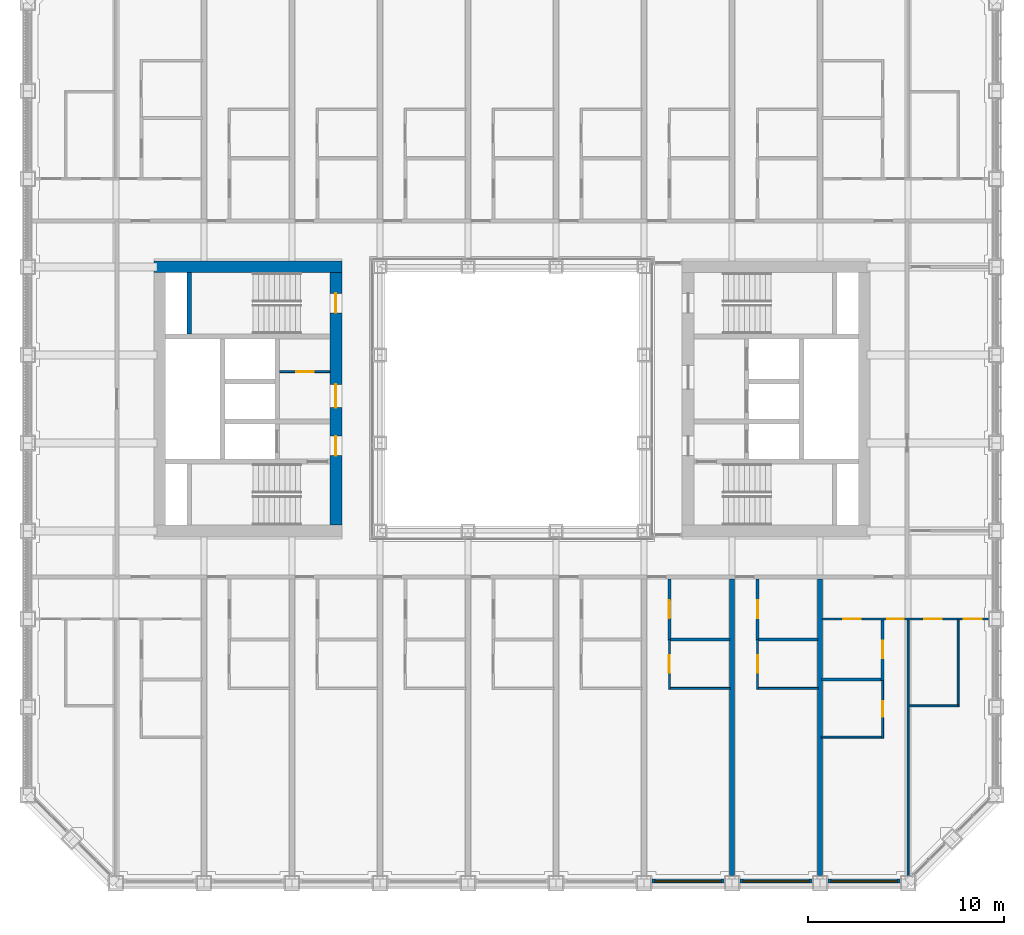
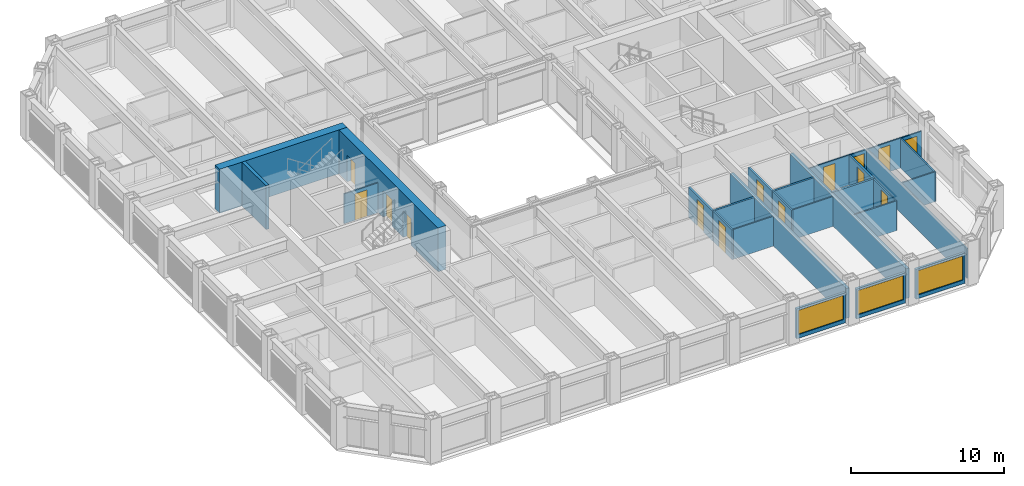
# One storey, part 11 of 21: 25 walls, 14 doors, 3 windows, 17 openings.
"""IFC4 building model written with IfcOpenShell, lengths in metres."""

from ifc_helpers import new_model, si_unit, direction, frame, frame_2d, origin, place, context, subcontext, project, spatial, rectangle, extrude, material, layer, layer_set, type_object, element, fill, save


model = new_model("IFC4")

# Units and contexts
model_context = context("Model", 3, precision=1e-05, world=origin(), true_north=direction((0.0, 1.0)))
body_context = subcontext(model_context, "Body", "Model", "MODEL_VIEW")
ifc_project = project(units=[si_unit("LENGTHUNIT", "METRE"), si_unit("AREAUNIT", "SQUARE_METRE"), si_unit("VOLUMEUNIT", "CUBIC_METRE"), si_unit("PLANEANGLEUNIT", "RADIAN"), si_unit("MASSUNIT", "GRAM", prefix="KILO")], contexts=[model_context])

# Site, building, storey
site_placement = place(None, origin())
site = spatial("IfcSite", under=ifc_project, at=site_placement, CompositionType="ELEMENT")
building_placement = place(site_placement, origin())
building = spatial("IfcBuilding", under=site, at=building_placement, Name="Msasa Ring Tower", CompositionType="ELEMENT")
storey_placement = place(building_placement, frame((0.0, 0.0, 33.5)))
storey = spatial("IfcBuildingStorey", under=building, at=storey_placement, Name="L07", CompositionType="ELEMENT", Elevation=33.5)

# Wall
ifc_material_1 = material(Name="Concrete C60/75", Category="concrete")
ifc_layer_1 = layer(ifc_material_1, 0.60009765625)
ifc_layer_set_1 = layer_set([ifc_layer_1], Name="CW1 CORE WALL 600")
wall_type_1 = type_object("IfcWallType", Name="CW1 CORE WALL 600", PredefinedType="SHEAR", material=ifc_layer_set_1)
wall_1_placement = place(storey_placement, frame((-8.699951171875, 6.75, 0.0), z_axis=(0.0, 0.0, 1.0), x_axis=(-1.0, 0.0, 0.0)))
element("IfcWall", 1, at=wall_1_placement, inside=storey, type_object=wall_type_1, Name="W core wall N L07", PredefinedType="SHEAR", context=body_context, shape_type="SweptSolid", body=[
    extrude(rectangle(XDim=9.60009765625, YDim=0.60009765625, at=frame_2d((4.800048828125, 0.0))), origin(), (0.0, 0.0, 1.0), 3.5),
])

# Wall, openings, doors
wall_2_placement = place(storey_placement, frame((-9.0, -6.449951171875, 0.0), z_axis=(0.0, 0.0, 1.0), x_axis=(0.0, 1.0, 0.0)))
wall_2 = element("IfcWall", 2, at=wall_2_placement, inside=storey, type_object=wall_type_1, Name="W core wall W L07", PredefinedType="SHEAR", context=body_context, shape_type="SweptSolid", body=[
    extrude(rectangle(XDim=12.89990234375, YDim=0.60009765625, at=frame_2d((6.449951171875, 0.0))), origin(), (0.0, 0.0, 1.0), 3.5),
])
opening_1_placement = place(wall_2_placement, frame((3.550048828125, 0.0, 0.0)))
opening_1 = element("IfcOpeningElement", 3, at=opening_1_placement, cuts=wall_2, Name="Opening RA-045", PredefinedType="OPENING", context=body_context, shape_type="SweptSolid", body=[
    extrude(rectangle(XDim=1.0, YDim=2.10009765625, at=frame_2d((0.5, 1.050048828125))), frame((0.0, 0.31005859375, 0.0), z_axis=(0.0, -1.0, 0.0), x_axis=(1.0, 0.0, 0.0)), (0.0, 0.0, 1.0), 0.6201171875),
])
opening_2_placement = place(wall_2_placement, frame((6.0, 0.0, 0.0)))
opening_2 = element("IfcOpeningElement", 4, at=opening_2_placement, cuts=wall_2, Name="Opening RA-042", PredefinedType="OPENING", context=body_context, shape_type="SweptSolid", body=[
    extrude(rectangle(XDim=1.199951171875, YDim=2.10009765625, at=frame_2d((0.60009765625, 1.050048828125))), frame((0.0, 0.31005859375, 0.0), z_axis=(0.0, -1.0, 0.0), x_axis=(1.0, 0.0, 0.0)), (0.0, 0.0, 1.0), 0.6201171875),
])
opening_3_placement = place(wall_2_placement, frame((10.85009765625, 0.0, 0.0)))
opening_3 = element("IfcOpeningElement", 5, at=opening_3_placement, cuts=wall_2, Name="Opening RA-038", PredefinedType="OPENING", context=body_context, shape_type="SweptSolid", body=[
    extrude(rectangle(XDim=1.0, YDim=2.10009765625, at=frame_2d((0.5, 1.050048828125))), frame((0.0, 0.31005859375, 0.0), z_axis=(0.0, -1.0, 0.0), x_axis=(1.0, 0.0, 0.0)), (0.0, 0.0, 1.0), 0.6201171875),
])
ifc_material_2 = material(Name="Timber door leaf in a steel frame", Category="steel")
door_type_1 = type_object("IfcDoorType", Name="D26 WIDE SERVICE ROOM DOOR 1200x2100", OperationType="SINGLE_SWING_LEFT", PredefinedType="DOOR", material=ifc_material_2)
door_1_placement = place(opening_2_placement, origin())
door_1 = element("IfcDoor", 6, at=door_1_placement, inside=storey, type_object=door_type_1, Name="Door L07-WCR", OperationType="SINGLE_SWING_RIGHT", OverallHeight=2.10009765625, OverallWidth=1.199951171875, PredefinedType="DOOR", context=body_context, shape_type="SweptSolid", body=[
    extrude(rectangle(XDim=1.199951171875, YDim=2.10009765625, at=frame_2d((0.60009765625, 1.050048828125))), frame((0.0, 0.02490234375, 0.0), z_axis=(0.0, -1.0, 0.0), x_axis=(1.0, 0.0, 0.0)), (0.0, 0.0, 1.0), 0.050048828125),
])
fill(opening_2, door_1)
ifc_material_3 = material(Name="Timber door leaf in a steel frame", Category="steel")
door_type_2 = type_object("IfcDoorType", Name="D4 LOBBY DOOR 1000x2100", OperationType="SINGLE_SWING_LEFT", PredefinedType="DOOR", material=ifc_material_3)
door_2_placement = place(opening_1_placement, origin())
door_2 = element("IfcDoor", 7, at=door_2_placement, inside=storey, type_object=door_type_2, Name="Door L07-WFFL", OperationType="SINGLE_SWING_LEFT", OverallHeight=2.10009765625, OverallWidth=1.0, PredefinedType="DOOR", context=body_context, shape_type="SweptSolid", body=[
    extrude(rectangle(XDim=1.0, YDim=2.10009765625, at=frame_2d((0.5, 1.050048828125))), frame((0.0, 0.02490234375, 0.0), z_axis=(0.0, -1.0, 0.0), x_axis=(1.0, 0.0, 0.0)), (0.0, 0.0, 1.0), 0.050048828125),
])
fill(opening_1, door_2)
ifc_material_4 = material(Name="Timber door leaf in a steel frame", Category="steel")
door_type_3 = type_object("IfcDoorType", Name="D6 STAIR DOOR 1000x2100", OperationType="SINGLE_SWING_LEFT", PredefinedType="DOOR", material=ifc_material_4)
door_3_placement = place(opening_3_placement, origin())
door_3 = element("IfcDoor", 8, at=door_3_placement, inside=storey, type_object=door_type_3, Name="Door L07-WSTB", OperationType="SINGLE_SWING_RIGHT", OverallHeight=2.10009765625, OverallWidth=1.0, PredefinedType="DOOR", context=body_context, shape_type="SweptSolid", body=[
    extrude(rectangle(XDim=1.0, YDim=2.10009765625, at=frame_2d((0.5, 1.050048828125))), frame((0.0, 0.02490234375, 0.0), z_axis=(0.0, -1.0, 0.0), x_axis=(1.0, 0.0, 0.0)), (0.0, 0.0, 1.0), 0.050048828125),
])
fill(opening_3, door_3)

# Wall
ifc_material_5 = material(Name="Concrete C60/75", Category="concrete")
ifc_layer_2 = layer(ifc_material_5, 0.25)
ifc_layer_set_2 = layer_set([ifc_layer_2], Name="CW4 CORE INNER WALL 250")
wall_type_2 = type_object("IfcWallType", Name="CW4 CORE INNER WALL 250", PredefinedType="SHEAR", material=ifc_layer_set_2)
wall_3_placement = place(storey_placement, frame((-16.5, 3.324951171875, 0.0), z_axis=(0.0, 0.0, 1.0), x_axis=(0.0, 1.0, 0.0)))
element("IfcWall", 9, at=wall_3_placement, inside=storey, type_object=wall_type_2, Name="W core wall RISERB L07", PredefinedType="SHEAR", context=body_context, shape_type="SweptSolid", body=[
    extrude(rectangle(XDim=3.125, YDim=0.25, at=frame_2d((1.5625, 0.0))), origin(), (0.0, 0.0, 1.0), 3.5),
])

# Wall, opening, window
ifc_material_6 = material(Name="Terracotta rainscreen on blockwork", Category="masonry")
ifc_layer_3 = layer(ifc_material_6, 0.199951171875)
ifc_layer_set_3 = layer_set([ifc_layer_3], Name="FW1 TERRACOTTA-LINED INFILL BAY WALL 200")
wall_type_3 = type_object("IfcWallType", Name="FW1 TERRACOTTA-LINED INFILL BAY WALL 200", PredefinedType="SOLIDWALL", material=ifc_layer_set_3)
wall_4_placement = place(storey_placement, frame((7.155029296875, -24.64990234375, 0.0), z_axis=(0.0, 0.0, 1.0), x_axis=(1.0, 0.0, 0.0)))
wall_4 = element("IfcWall", 10, at=wall_4_placement, inside=storey, type_object=wall_type_3, Name="Infill bay wall S L07 06", PredefinedType="SOLIDWALL", context=body_context, shape_type="SweptSolid", body=[
    extrude(rectangle(XDim=3.68994140625, YDim=0.199951171875, at=frame_2d((1.844970703125, 0.0))), origin(), (0.0, 0.0, 1.0), 2.37890625),
])
opening_4_placement = place(wall_4_placement, frame((0.14501953125, 0.0, 0.300048828125)))
opening_4 = element("IfcOpeningElement", 11, at=opening_4_placement, cuts=wall_4, Name="Opening WN1", PredefinedType="OPENING", context=body_context, shape_type="SweptSolid", body=[
    extrude(rectangle(XDim=3.39990234375, YDim=1.928955078125, at=frame_2d((1.699951171875, 0.96435546875))), frame((0.0, 0.10986328125, 0.0), z_axis=(0.0, -1.0, 0.0), x_axis=(1.0, 0.0, 0.0)), (0.0, 0.0, 1.0), 0.219970703125),
])
ifc_material_7 = material(Name="Aluminium frame with clear glass", Category="aluminium")
window_type = type_object("IfcWindowType", Name="WN1 RESIDENCE WINDOW 3400x1929", PartitioningType="SINGLE_PANEL", PredefinedType="WINDOW", material=ifc_material_7)
window_1_placement = place(opening_4_placement, origin())
window_1 = element("IfcWindow", 12, at=window_1_placement, inside=storey, type_object=window_type, Name="Window S L07 06", OverallHeight=1.928955078125, OverallWidth=3.39990234375, PartitioningType="SINGLE_PANEL", PredefinedType="WINDOW", context=body_context, shape_type="SweptSolid", body=[
    extrude(rectangle(XDim=3.39990234375, YDim=1.928955078125, at=frame_2d((1.699951171875, 0.96435546875))), frame((0.0, 0.030029296875, 0.0), z_axis=(0.0, -1.0, 0.0), x_axis=(1.0, 0.0, 0.0)), (0.0, 0.0, 1.0), 0.06005859375),
])
fill(opening_4, window_1)

wall_5_placement = place(storey_placement, frame((11.655029296875, -24.64990234375, 0.0), z_axis=(0.0, 0.0, 1.0), x_axis=(1.0, 0.0, 0.0)))
wall_5 = element("IfcWall", 13, at=wall_5_placement, inside=storey, type_object=wall_type_3, Name="Infill bay wall S L07 07", PredefinedType="SOLIDWALL", context=body_context, shape_type="SweptSolid", body=[
    extrude(rectangle(XDim=3.68994140625, YDim=0.199951171875, at=frame_2d((1.844970703125, 0.0))), origin(), (0.0, 0.0, 1.0), 2.37890625),
])
opening_5_placement = place(wall_5_placement, frame((0.14501953125, 0.0, 0.300048828125)))
opening_5 = element("IfcOpeningElement", 14, at=opening_5_placement, cuts=wall_5, Name="Opening WN1", PredefinedType="OPENING", context=body_context, shape_type="SweptSolid", body=[
    extrude(rectangle(XDim=3.39990234375, YDim=1.928955078125, at=frame_2d((1.699951171875, 0.96435546875))), frame((0.0, 0.10986328125, 0.0), z_axis=(0.0, -1.0, 0.0), x_axis=(1.0, 0.0, 0.0)), (0.0, 0.0, 1.0), 0.219970703125),
])
window_2_placement = place(opening_5_placement, origin())
window_2 = element("IfcWindow", 15, at=window_2_placement, inside=storey, type_object=window_type, Name="Window S L07 07", OverallHeight=1.928955078125, OverallWidth=3.39990234375, PartitioningType="SINGLE_PANEL", PredefinedType="WINDOW", context=body_context, shape_type="SweptSolid", body=[
    extrude(rectangle(XDim=3.39990234375, YDim=1.928955078125, at=frame_2d((1.699951171875, 0.96435546875))), frame((0.0, 0.030029296875, 0.0), z_axis=(0.0, -1.0, 0.0), x_axis=(1.0, 0.0, 0.0)), (0.0, 0.0, 1.0), 0.06005859375),
])
fill(opening_5, window_2)

wall_6_placement = place(storey_placement, frame((16.155029296875, -24.64990234375, 0.0), z_axis=(0.0, 0.0, 1.0), x_axis=(1.0, 0.0, 0.0)))
wall_6 = element("IfcWall", 16, at=wall_6_placement, inside=storey, type_object=wall_type_3, Name="Infill bay wall S L07 08", PredefinedType="SOLIDWALL", context=body_context, shape_type="SweptSolid", body=[
    extrude(rectangle(XDim=3.68994140625, YDim=0.199951171875, at=frame_2d((1.844970703125, 0.0))), origin(), (0.0, 0.0, 1.0), 2.37890625),
])
opening_6_placement = place(wall_6_placement, frame((0.14501953125, 0.0, 0.300048828125)))
opening_6 = element("IfcOpeningElement", 17, at=opening_6_placement, cuts=wall_6, Name="Opening WN1", PredefinedType="OPENING", context=body_context, shape_type="SweptSolid", body=[
    extrude(rectangle(XDim=3.39990234375, YDim=1.928955078125, at=frame_2d((1.699951171875, 0.96435546875))), frame((0.0, 0.10986328125, 0.0), z_axis=(0.0, -1.0, 0.0), x_axis=(1.0, 0.0, 0.0)), (0.0, 0.0, 1.0), 0.219970703125),
])
window_3_placement = place(opening_6_placement, origin())
window_3 = element("IfcWindow", 18, at=window_3_placement, inside=storey, type_object=window_type, Name="Window S L07 08", OverallHeight=1.928955078125, OverallWidth=3.39990234375, PartitioningType="SINGLE_PANEL", PredefinedType="WINDOW", context=body_context, shape_type="SweptSolid", body=[
    extrude(rectangle(XDim=3.39990234375, YDim=1.928955078125, at=frame_2d((1.699951171875, 0.96435546875))), frame((0.0, 0.030029296875, 0.0), z_axis=(0.0, -1.0, 0.0), x_axis=(1.0, 0.0, 0.0)), (0.0, 0.0, 1.0), 0.06005859375),
])
fill(opening_6, window_3)

# Wall
ifc_material_8 = material(Name="Gypsum board on steel studs", Category="steel")
ifc_layer_4 = layer(ifc_material_8, 0.10009765625)
ifc_layer_set_4 = layer_set([ifc_layer_4], Name="PT2 STUD PARTITION 100")
wall_type_4 = type_object("IfcWallType", Name="PT2 STUD PARTITION 100", PredefinedType="PARTITIONING", material=ifc_layer_set_4)
wall_7_placement = place(storey_placement, frame((8.10009765625, -14.800048828125, 0.0), z_axis=(0.0, 0.0, 1.0), x_axis=(1.0, 0.0, 0.0)))
element("IfcWall", 19, at=wall_7_placement, inside=storey, type_object=wall_type_4, Name="Partition L07-US06KY", PredefinedType="PARTITIONING", context=body_context, shape_type="SweptSolid", body=[
    extrude(rectangle(XDim=3.0498046875, YDim=0.10009765625, at=frame_2d((1.52490234375, 0.0))), origin(), (0.0, 0.0, 1.0), 2.373291015625),
])

# Wall, opening, door
wall_8_placement = place(storey_placement, frame((8.050048828125, -14.85009765625, 0.0), z_axis=(0.0, 0.0, 1.0), x_axis=(0.0, 1.0, 0.0)))
wall_8 = element("IfcWall", 20, at=wall_8_placement, inside=storey, type_object=wall_type_4, Name="Partition L07-US06KX", PredefinedType="PARTITIONING", context=body_context, shape_type="SweptSolid", body=[
    extrude(rectangle(XDim=2.550048828125, YDim=0.10009765625, at=frame_2d((1.27490234375, 0.0))), origin(), (0.0, 0.0, 1.0), 2.373291015625),
])
opening_7_placement = place(wall_8_placement, frame((0.840087890625, 0.0, 0.0)))
opening_7 = element("IfcOpeningElement", 21, at=opening_7_placement, cuts=wall_8, Name="Opening RA-082", PredefinedType="OPENING", context=body_context, shape_type="SweptSolid", body=[
    extrude(rectangle(XDim=0.89990234375, YDim=2.10009765625, at=frame_2d((0.449951171875, 1.050048828125))), frame((0.0, 0.06005859375, 0.0), z_axis=(0.0, -1.0, 0.0), x_axis=(1.0, 0.0, 0.0)), (0.0, 0.0, 1.0), 0.1201171875),
])
ifc_material_9 = material(Name="Timber door leaf in a steel frame", Category="steel")
door_type_4 = type_object("IfcDoorType", Name="D22 INTERNAL HALL DOOR 900x2100", OperationType="SINGLE_SWING_LEFT", PredefinedType="DOOR", material=ifc_material_9)
door_4_placement = place(opening_7_placement, origin())
door_4 = element("IfcDoor", 22, at=door_4_placement, inside=storey, type_object=door_type_4, Name="Door L07-US06K", OperationType="SINGLE_SWING_LEFT", OverallHeight=2.10009765625, OverallWidth=0.89990234375, PredefinedType="DOOR", context=body_context, shape_type="SweptSolid", body=[
    extrude(rectangle(XDim=0.89990234375, YDim=2.10009765625, at=frame_2d((0.449951171875, 1.050048828125))), frame((0.0, 0.02490234375, 0.0), z_axis=(0.0, -1.0, 0.0), x_axis=(1.0, 0.0, 0.0)), (0.0, 0.0, 1.0), 0.050048828125),
])
fill(opening_7, door_4)

# Wall
wall_9_placement = place(storey_placement, frame((12.60009765625, -14.800048828125, 0.0), z_axis=(0.0, 0.0, 1.0), x_axis=(1.0, 0.0, 0.0)))
element("IfcWall", 23, at=wall_9_placement, inside=storey, type_object=wall_type_4, Name="Partition L07-US07KY", PredefinedType="PARTITIONING", context=body_context, shape_type="SweptSolid", body=[
    extrude(rectangle(XDim=3.0498046875, YDim=0.10009765625, at=frame_2d((1.52490234375, 0.0))), origin(), (0.0, 0.0, 1.0), 2.373291015625),
])

# Wall, opening, door
wall_10_placement = place(storey_placement, frame((12.550048828125, -14.85009765625, 0.0), z_axis=(0.0, 0.0, 1.0), x_axis=(0.0, 1.0, 0.0)))
wall_10 = element("IfcWall", 24, at=wall_10_placement, inside=storey, type_object=wall_type_4, Name="Partition L07-US07KX", PredefinedType="PARTITIONING", context=body_context, shape_type="SweptSolid", body=[
    extrude(rectangle(XDim=2.550048828125, YDim=0.10009765625, at=frame_2d((1.27490234375, 0.0))), origin(), (0.0, 0.0, 1.0), 2.373291015625),
])
opening_8_placement = place(wall_10_placement, frame((0.840087890625, 0.0, 0.0)))
opening_8 = element("IfcOpeningElement", 25, at=opening_8_placement, cuts=wall_10, Name="Opening RA-083", PredefinedType="OPENING", context=body_context, shape_type="SweptSolid", body=[
    extrude(rectangle(XDim=0.89990234375, YDim=2.10009765625, at=frame_2d((0.449951171875, 1.050048828125))), frame((0.0, 0.06005859375, 0.0), z_axis=(0.0, -1.0, 0.0), x_axis=(1.0, 0.0, 0.0)), (0.0, 0.0, 1.0), 0.1201171875),
])
door_5_placement = place(opening_8_placement, origin())
door_5 = element("IfcDoor", 26, at=door_5_placement, inside=storey, type_object=door_type_4, Name="Door L07-US07K", OperationType="SINGLE_SWING_LEFT", OverallHeight=2.10009765625, OverallWidth=0.89990234375, PredefinedType="DOOR", context=body_context, shape_type="SweptSolid", body=[
    extrude(rectangle(XDim=0.89990234375, YDim=2.10009765625, at=frame_2d((0.449951171875, 1.050048828125))), frame((0.0, 0.02490234375, 0.0), z_axis=(0.0, -1.0, 0.0), x_axis=(1.0, 0.0, 0.0)), (0.0, 0.0, 1.0), 0.050048828125),
])
fill(opening_8, door_5)

# Wall, openings, doors
wall_11_placement = place(storey_placement, frame((15.85009765625, -11.25, 0.0), z_axis=(0.0, 0.0, 1.0), x_axis=(1.0, 0.0, 0.0)))
wall_11 = element("IfcWall", 27, at=wall_11_placement, inside=storey, type_object=wall_type_4, Name="Partition L07-US08HY", PredefinedType="PARTITIONING", context=body_context, shape_type="SweptSolid", body=[
    extrude(rectangle(XDim=8.5, YDim=0.10009765625, at=frame_2d((4.25, 0.0))), origin(), (0.0, 0.0, 1.0), 2.373291015625),
])
opening_9_placement = place(wall_11_placement, frame((5.22509765625, 0.0, 0.0)))
opening_9 = element("IfcOpeningElement", 28, at=opening_9_placement, cuts=wall_11, Name="Opening RA-073", PredefinedType="OPENING", context=body_context, shape_type="SweptSolid", body=[
    extrude(rectangle(XDim=0.89990234375, YDim=2.10009765625, at=frame_2d((0.449951171875, 1.050048828125))), frame((0.0, 0.06005859375, 0.0), z_axis=(0.0, -1.0, 0.0), x_axis=(1.0, 0.0, 0.0)), (0.0, 0.0, 1.0), 0.1201171875),
])
opening_10_placement = place(wall_11_placement, frame((7.25, 0.0, 0.0)))
opening_10 = element("IfcOpeningElement", 29, at=opening_10_placement, cuts=wall_11, Name="Opening RA-074", PredefinedType="OPENING", context=body_context, shape_type="SweptSolid", body=[
    extrude(rectangle(XDim=0.89990234375, YDim=2.10009765625, at=frame_2d((0.449951171875, 1.050048828125))), frame((0.0, 0.06005859375, 0.0), z_axis=(0.0, -1.0, 0.0), x_axis=(1.0, 0.0, 0.0)), (0.0, 0.0, 1.0), 0.1201171875),
])
opening_11_placement = place(wall_11_placement, frame((3.324951171875, 0.0, 0.0)))
opening_11 = element("IfcOpeningElement", 30, at=opening_11_placement, cuts=wall_11, Name="Opening RA-072", PredefinedType="OPENING", context=body_context, shape_type="SweptSolid", body=[
    extrude(rectangle(XDim=0.85009765625, YDim=2.10009765625, at=frame_2d((0.425048828125, 1.050048828125))), frame((0.0, 0.06005859375, 0.0), z_axis=(0.0, -1.0, 0.0), x_axis=(1.0, 0.0, 0.0)), (0.0, 0.0, 1.0), 0.1201171875),
])
opening_12_placement = place(wall_11_placement, frame((1.080078125, 0.0, 0.0)))
opening_12 = element("IfcOpeningElement", 31, at=opening_12_placement, cuts=wall_11, Name="Opening RA-071", PredefinedType="OPENING", context=body_context, shape_type="SweptSolid", body=[
    extrude(rectangle(XDim=0.89990234375, YDim=2.10009765625, at=frame_2d((0.449951171875, 1.050048828125))), frame((0.0, 0.06005859375, 0.0), z_axis=(0.0, -1.0, 0.0), x_axis=(1.0, 0.0, 0.0)), (0.0, 0.0, 1.0), 0.1201171875),
])
ifc_material_10 = material(Name="Timber door leaf in a steel frame", Category="steel")
door_type_5 = type_object("IfcDoorType", Name="D14 BEDROOM DOOR 850x2100", OperationType="SINGLE_SWING_LEFT", PredefinedType="DOOR", material=ifc_material_10)
door_6_placement = place(opening_11_placement, origin())
door_6 = element("IfcDoor", 32, at=door_6_placement, inside=storey, type_object=door_type_5, Name="Door L07-US08R1", OperationType="SINGLE_SWING_LEFT", OverallHeight=2.10009765625, OverallWidth=0.85009765625, PredefinedType="DOOR", context=body_context, shape_type="SweptSolid", body=[
    extrude(rectangle(XDim=0.85009765625, YDim=2.10009765625, at=frame_2d((0.425048828125, 1.050048828125))), frame((0.0, 0.02490234375, 0.0), z_axis=(0.0, -1.0, 0.0), x_axis=(1.0, 0.0, 0.0)), (0.0, 0.0, 1.0), 0.050048828125),
])
fill(opening_11, door_6)
door_7_placement = place(opening_9_placement, origin())
door_7 = element("IfcDoor", 33, at=door_7_placement, inside=storey, type_object=door_type_4, Name="Door L07-US08K", OperationType="SINGLE_SWING_RIGHT", OverallHeight=2.10009765625, OverallWidth=0.89990234375, PredefinedType="DOOR", context=body_context, shape_type="SweptSolid", body=[
    extrude(rectangle(XDim=0.89990234375, YDim=2.10009765625, at=frame_2d((0.449951171875, 1.050048828125))), frame((0.0, 0.02490234375, 0.0), z_axis=(0.0, -1.0, 0.0), x_axis=(1.0, 0.0, 0.0)), (0.0, 0.0, 1.0), 0.050048828125),
])
fill(opening_9, door_7)
door_8_placement = place(opening_10_placement, origin())
door_8 = element("IfcDoor", 34, at=door_8_placement, inside=storey, type_object=door_type_4, Name="Door L07-US08L", OperationType="SINGLE_SWING_RIGHT", OverallHeight=2.10009765625, OverallWidth=0.89990234375, PredefinedType="DOOR", context=body_context, shape_type="SweptSolid", body=[
    extrude(rectangle(XDim=0.89990234375, YDim=2.10009765625, at=frame_2d((0.449951171875, 1.050048828125))), frame((0.0, 0.02490234375, 0.0), z_axis=(0.0, -1.0, 0.0), x_axis=(1.0, 0.0, 0.0)), (0.0, 0.0, 1.0), 0.050048828125),
])
fill(opening_10, door_8)
ifc_material_11 = material(Name="Timber door leaf in a steel frame", Category="steel")
door_type_6 = type_object("IfcDoorType", Name="D3 BATHROOM DOOR 900x2100", OperationType="SINGLE_SWING_LEFT", PredefinedType="DOOR", material=ifc_material_11)
door_9_placement = place(opening_12_placement, origin())
door_9 = element("IfcDoor", 35, at=door_9_placement, inside=storey, type_object=door_type_6, Name="Door L07-US08BH1", OperationType="SINGLE_SWING_LEFT", OverallHeight=2.10009765625, OverallWidth=0.89990234375, PredefinedType="DOOR", context=body_context, shape_type="SweptSolid", body=[
    extrude(rectangle(XDim=0.89990234375, YDim=2.10009765625, at=frame_2d((0.449951171875, 1.050048828125))), frame((0.0, 0.02490234375, 0.0), z_axis=(0.0, -1.0, 0.0), x_axis=(1.0, 0.0, 0.0)), (0.0, 0.0, 1.0), 0.050048828125),
])
fill(opening_12, door_9)

# Walls
wall_12_placement = place(storey_placement, frame((22.800048828125, -15.7421875, 0.0), z_axis=(0.0, 0.0, 1.0), x_axis=(0.0, 1.0, 0.0)))
element("IfcWall", 36, at=wall_12_placement, inside=storey, type_object=wall_type_4, Name="Partition L07-US08KX", PredefinedType="PARTITIONING", context=body_context, shape_type="SweptSolid", body=[
    extrude(rectangle(XDim=4.442138671875, YDim=0.10009765625, at=frame_2d((2.22119140625, 0.0))), origin(), (0.0, 0.0, 1.0), 2.373291015625),
])
wall_13_placement = place(storey_placement, frame((20.300048828125, -15.692138671875, 0.0), z_axis=(0.0, 0.0, 1.0), x_axis=(1.0, 0.0, 0.0)))
element("IfcWall", 37, at=wall_13_placement, inside=storey, type_object=wall_type_4, Name="Partition L07-US08KY", PredefinedType="PARTITIONING", context=body_context, shape_type="SweptSolid", body=[
    extrude(rectangle(XDim=2.5, YDim=0.10009765625, at=frame_2d((1.25, 0.0))), origin(), (0.0, 0.0, 1.0), 2.373291015625),
])
wall_14_placement = place(storey_placement, frame((20.25, -24.35009765625, 0.0), z_axis=(0.0, 0.0, 1.0), x_axis=(0.0, 1.0, 0.0)))
element("IfcWall", 38, at=wall_14_placement, inside=storey, type_object=wall_type_4, Name="Partition L07-US08P1", PredefinedType="PARTITIONING", context=body_context, shape_type="SweptSolid", body=[
    extrude(rectangle(XDim=13.050048828125, YDim=0.10009765625, at=frame_2d((6.52490234375, 0.0))), origin(), (0.0, 0.0, 1.0), 2.373291015625),
])

# Wall, opening, door
wall_15_placement = place(storey_placement, frame((18.949951171875, -17.3408203125, 0.0), z_axis=(0.0, 0.0, 1.0), x_axis=(0.0, 1.0, 0.0)))
wall_15 = element("IfcWall", 39, at=wall_15_placement, inside=storey, type_object=wall_type_4, Name="Partition L07-US08WX1", PredefinedType="PARTITIONING", context=body_context, shape_type="SweptSolid", body=[
    extrude(rectangle(XDim=2.94091796875, YDim=0.10009765625, at=frame_2d((1.470458984375, 0.0))), origin(), (0.0, 0.0, 1.0), 2.373291015625),
])
opening_13_placement = place(wall_15_placement, frame((1.095458984375, 0.0, 0.0)))
opening_13 = element("IfcOpeningElement", 40, at=opening_13_placement, cuts=wall_15, Name="Opening RA-085", PredefinedType="OPENING", context=body_context, shape_type="SweptSolid", body=[
    extrude(rectangle(XDim=0.800048828125, YDim=2.10009765625, at=frame_2d((0.39990234375, 1.050048828125))), frame((0.0, 0.06005859375, 0.0), z_axis=(0.0, -1.0, 0.0), x_axis=(1.0, 0.0, 0.0)), (0.0, 0.0, 1.0), 0.1201171875),
])
ifc_material_12 = material(Name="Timber door leaf in a steel frame", Category="steel")
door_type_7 = type_object("IfcDoorType", Name="D60 DRESSING ROOM DOOR 800x2100", OperationType="SINGLE_SWING_LEFT", PredefinedType="DOOR", material=ifc_material_12)
door_10_placement = place(opening_13_placement, origin())
door_10 = element("IfcDoor", 41, at=door_10_placement, inside=storey, type_object=door_type_7, Name="Door L07-US08W1", OperationType="SINGLE_SWING_LEFT", OverallHeight=2.10009765625, OverallWidth=0.800048828125, PredefinedType="DOOR", context=body_context, shape_type="SweptSolid", body=[
    extrude(rectangle(XDim=0.800048828125, YDim=2.10009765625, at=frame_2d((0.39990234375, 1.050048828125))), frame((0.0, 0.02490234375, 0.0), z_axis=(0.0, -1.0, 0.0), x_axis=(1.0, 0.0, 0.0)), (0.0, 0.0, 1.0), 0.050048828125),
])
fill(opening_13, door_10)

# Wall
wall_16_placement = place(storey_placement, frame((15.81005859375, -17.291015625, 0.0), z_axis=(0.0, 0.0, 1.0), x_axis=(1.0, 0.0, 0.0)))
element("IfcWall", 42, at=wall_16_placement, inside=storey, type_object=wall_type_4, Name="Partition L07-US08WY1", PredefinedType="PARTITIONING", context=body_context, shape_type="SweptSolid", body=[
    extrude(rectangle(XDim=3.139892578125, YDim=0.10009765625, at=frame_2d((1.56982421875, 0.0))), origin(), (0.0, 0.0, 1.0), 2.373291015625),
])

# Wall, opening, door
wall_17_placement = place(storey_placement, frame((-11.875, 1.39990234375, 0.0), z_axis=(0.0, 0.0, 1.0), x_axis=(1.0, 0.0, 0.0)))
wall_17 = element("IfcWall", 43, at=wall_17_placement, inside=storey, type_object=wall_type_4, Name="Partition L07-WCP", PredefinedType="PARTITIONING", context=body_context, shape_type="SweptSolid", body=[
    extrude(rectangle(XDim=2.574951171875, YDim=0.10009765625, at=frame_2d((1.28759765625, 0.0))), origin(), (0.0, 0.0, 1.0), 2.373291015625),
])
opening_14_placement = place(wall_17_placement, frame((0.83740234375, 0.0, 0.0)))
opening_14 = element("IfcOpeningElement", 44, at=opening_14_placement, cuts=wall_17, Name="Opening RA-040", PredefinedType="OPENING", context=body_context, shape_type="SweptSolid", body=[
    extrude(rectangle(XDim=0.89990234375, YDim=2.10009765625, at=frame_2d((0.449951171875, 1.050048828125))), frame((0.0, 0.06005859375, 0.0), z_axis=(0.0, -1.0, 0.0), x_axis=(1.0, 0.0, 0.0)), (0.0, 0.0, 1.0), 0.1201171875),
])
door_11_placement = place(opening_14_placement, origin())
door_11 = element("IfcDoor", 45, at=door_11_placement, inside=storey, type_object=door_type_4, Name="Door L07-WCP", OperationType="SINGLE_SWING_LEFT", OverallHeight=2.10009765625, OverallWidth=0.89990234375, PredefinedType="DOOR", context=body_context, shape_type="SweptSolid", body=[
    extrude(rectangle(XDim=0.89990234375, YDim=2.10009765625, at=frame_2d((0.449951171875, 1.050048828125))), frame((0.0, 0.02490234375, 0.0), z_axis=(0.0, -1.0, 0.0), x_axis=(1.0, 0.0, 0.0)), (0.0, 0.0, 1.0), 0.050048828125),
])
fill(opening_14, door_11)

# Walls
ifc_material_13 = material(Name="Dense concrete blockwork, plastered both faces", Category="masonry")
ifc_layer_5 = layer(ifc_material_13, 0.25)
ifc_layer_set_5 = layer_set([ifc_layer_5], Name="PT3 APARTMENT SEPARATING WALL 250")
wall_type_5 = type_object("IfcWallType", Name="PT3 APARTMENT SEPARATING WALL 250", PredefinedType="PARTITIONING", material=ifc_layer_set_5)
for number, where, z_axis, x_axis, name in (
    (46, (11.25, -24.35009765625, 0.0), (0.0, 0.0, 1.0), (0.0, 1.0, 0.0), "Party wall L07-PWS+11.25"),
    (47, (15.75, -24.35009765625, 0.0), (0.0, 0.0, 1.0), (0.0, 1.0, 0.0), "Party wall L07-PWS+15.75"),
):
    element("IfcWall", number, at=place(storey_placement, frame(where, z_axis=z_axis, x_axis=x_axis)), inside=storey, type_object=wall_type_5, Name=name, PredefinedType="PARTITIONING", context=body_context, shape_type="SweptSolid", body=[
        extrude(rectangle(XDim=15.150146484375, YDim=0.25, at=frame_2d((7.5751953125, 0.0))), origin(), (0.0, 0.0, 1.0), 2.373291015625),
    ])

# Wall, opening, door
ifc_material_14 = material(Name="Moisture-resistant board on steel studs with a concealed cistern and pipe void, tiled", Category="steel")
ifc_layer_6 = layer(ifc_material_14, 0.14990234375)
ifc_layer_set_6 = layer_set([ifc_layer_6], Name="PT4 BATHROOM WET WALL 150")
wall_type_6 = type_object("IfcWallType", Name="PT4 BATHROOM WET WALL 150", PredefinedType="PARTITIONING", material=ifc_layer_set_6)
wall_18_placement = place(storey_placement, frame((8.050048828125, -12.35009765625, 0.0), z_axis=(0.0, 0.0, 1.0), x_axis=(0.0, 1.0, 0.0)))
wall_18 = element("IfcWall", 48, at=wall_18_placement, inside=storey, type_object=wall_type_6, Name="Partition L07-US06BX", PredefinedType="PARTITIONING", context=body_context, shape_type="SweptSolid", body=[
    extrude(rectangle(XDim=3.150146484375, YDim=0.14990234375, at=frame_2d((1.5751953125, 0.0))), origin(), (0.0, 0.0, 1.0), 2.373291015625),
])
opening_15_placement = place(wall_18_placement, frame((1.14990234375, 0.0, 0.0)))
opening_15 = element("IfcOpeningElement", 49, at=opening_15_placement, cuts=wall_18, Name="Opening RA-065", PredefinedType="OPENING", context=body_context, shape_type="SweptSolid", body=[
    extrude(rectangle(XDim=0.89990234375, YDim=2.10009765625, at=frame_2d((0.449951171875, 1.050048828125))), frame((0.0, 0.0849609375, 0.0), z_axis=(0.0, -1.0, 0.0), x_axis=(1.0, 0.0, 0.0)), (0.0, 0.0, 1.0), 0.169921875),
])
door_12_placement = place(opening_15_placement, origin())
door_12 = element("IfcDoor", 50, at=door_12_placement, inside=storey, type_object=door_type_6, Name="Door L07-US06B", OperationType="SINGLE_SWING_LEFT", OverallHeight=2.10009765625, OverallWidth=0.89990234375, PredefinedType="DOOR", context=body_context, shape_type="SweptSolid", body=[
    extrude(rectangle(XDim=0.89990234375, YDim=2.10009765625, at=frame_2d((0.449951171875, 1.050048828125))), frame((0.0, 0.02490234375, 0.0), z_axis=(0.0, -1.0, 0.0), x_axis=(1.0, 0.0, 0.0)), (0.0, 0.0, 1.0), 0.050048828125),
])
fill(opening_15, door_12)

# Wall
wall_19_placement = place(storey_placement, frame((8.10009765625, -12.300048828125, 0.0), z_axis=(0.0, 0.0, 1.0), x_axis=(1.0, 0.0, 0.0)))
element("IfcWall", 51, at=wall_19_placement, inside=storey, type_object=wall_type_6, Name="Partition L07-US06BY", PredefinedType="PARTITIONING", context=body_context, shape_type="SweptSolid", body=[
    extrude(rectangle(XDim=3.0498046875, YDim=0.14990234375, at=frame_2d((1.52490234375, 0.0))), origin(), (0.0, 0.0, 1.0), 2.373291015625),
])

# Wall, opening, door
wall_20_placement = place(storey_placement, frame((12.550048828125, -12.35009765625, 0.0), z_axis=(0.0, 0.0, 1.0), x_axis=(0.0, 1.0, 0.0)))
wall_20 = element("IfcWall", 52, at=wall_20_placement, inside=storey, type_object=wall_type_6, Name="Partition L07-US07BX", PredefinedType="PARTITIONING", context=body_context, shape_type="SweptSolid", body=[
    extrude(rectangle(XDim=3.150146484375, YDim=0.14990234375, at=frame_2d((1.5751953125, 0.0))), origin(), (0.0, 0.0, 1.0), 2.373291015625),
])
opening_16_placement = place(wall_20_placement, frame((1.14990234375, 0.0, 0.0)))
opening_16 = element("IfcOpeningElement", 53, at=opening_16_placement, cuts=wall_20, Name="Opening RA-066", PredefinedType="OPENING", context=body_context, shape_type="SweptSolid", body=[
    extrude(rectangle(XDim=0.89990234375, YDim=2.10009765625, at=frame_2d((0.449951171875, 1.050048828125))), frame((0.0, 0.0849609375, 0.0), z_axis=(0.0, -1.0, 0.0), x_axis=(1.0, 0.0, 0.0)), (0.0, 0.0, 1.0), 0.169921875),
])
door_13_placement = place(opening_16_placement, origin())
door_13 = element("IfcDoor", 54, at=door_13_placement, inside=storey, type_object=door_type_6, Name="Door L07-US07B", OperationType="SINGLE_SWING_LEFT", OverallHeight=2.10009765625, OverallWidth=0.89990234375, PredefinedType="DOOR", context=body_context, shape_type="SweptSolid", body=[
    extrude(rectangle(XDim=0.89990234375, YDim=2.10009765625, at=frame_2d((0.449951171875, 1.050048828125))), frame((0.0, 0.02490234375, 0.0), z_axis=(0.0, -1.0, 0.0), x_axis=(1.0, 0.0, 0.0)), (0.0, 0.0, 1.0), 0.050048828125),
])
fill(opening_16, door_13)

# Wall
wall_21_placement = place(storey_placement, frame((12.60009765625, -12.300048828125, 0.0), z_axis=(0.0, 0.0, 1.0), x_axis=(1.0, 0.0, 0.0)))
element("IfcWall", 55, at=wall_21_placement, inside=storey, type_object=wall_type_6, Name="Partition L07-US07BY", PredefinedType="PARTITIONING", context=body_context, shape_type="SweptSolid", body=[
    extrude(rectangle(XDim=3.0498046875, YDim=0.14990234375, at=frame_2d((1.52490234375, 0.0))), origin(), (0.0, 0.0, 1.0), 2.373291015625),
])

# Wall, opening, door
wall_22_placement = place(storey_placement, frame((18.949951171875, -14.39990234375, 0.0), z_axis=(0.0, 0.0, 1.0), x_axis=(0.0, 1.0, 0.0)))
wall_22 = element("IfcWall", 56, at=wall_22_placement, inside=storey, type_object=wall_type_6, Name="Partition L07-US08BX1", PredefinedType="PARTITIONING", context=body_context, shape_type="SweptSolid", body=[
    extrude(rectangle(XDim=3.099853515625, YDim=0.14990234375, at=frame_2d((1.5498046875, 0.0))), origin(), (0.0, 0.0, 1.0), 2.373291015625),
])
opening_17_placement = place(wall_22_placement, frame((1.14990234375, 0.0, 0.0)))
opening_17 = element("IfcOpeningElement", 57, at=opening_17_placement, cuts=wall_22, Name="Opening RA-076", PredefinedType="OPENING", context=body_context, shape_type="SweptSolid", body=[
    extrude(rectangle(XDim=0.89990234375, YDim=2.10009765625, at=frame_2d((0.449951171875, 1.050048828125))), frame((0.0, 0.0849609375, 0.0), z_axis=(0.0, -1.0, 0.0), x_axis=(1.0, 0.0, 0.0)), (0.0, 0.0, 1.0), 0.169921875),
])
door_14_placement = place(opening_17_placement, origin())
door_14 = element("IfcDoor", 58, at=door_14_placement, inside=storey, type_object=door_type_6, Name="Door L07-US08B1", OperationType="SINGLE_SWING_RIGHT", OverallHeight=2.10009765625, OverallWidth=0.89990234375, PredefinedType="DOOR", context=body_context, shape_type="SweptSolid", body=[
    extrude(rectangle(XDim=0.89990234375, YDim=2.10009765625, at=frame_2d((0.449951171875, 1.050048828125))), frame((0.0, 0.02490234375, 0.0), z_axis=(0.0, -1.0, 0.0), x_axis=(1.0, 0.0, 0.0)), (0.0, 0.0, 1.0), 0.050048828125),
])
fill(opening_17, door_14)

# Wall
wall_23_placement = place(storey_placement, frame((15.81005859375, -14.35009765625, 0.0), z_axis=(0.0, 0.0, 1.0), x_axis=(1.0, 0.0, 0.0)))
element("IfcWall", 59, at=wall_23_placement, inside=storey, type_object=wall_type_6, Name="Partition L07-US08BY1", PredefinedType="PARTITIONING", context=body_context, shape_type="SweptSolid", body=[
    extrude(rectangle(XDim=3.139892578125, YDim=0.14990234375, at=frame_2d((1.56982421875, 0.0))), origin(), (0.0, 0.0, 1.0), 2.373291015625),
])

save(model, "model.ifc")
